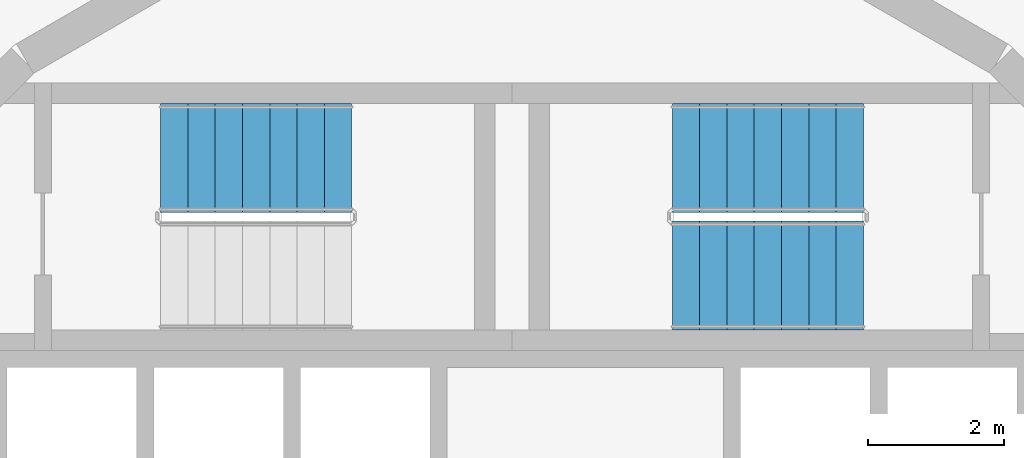
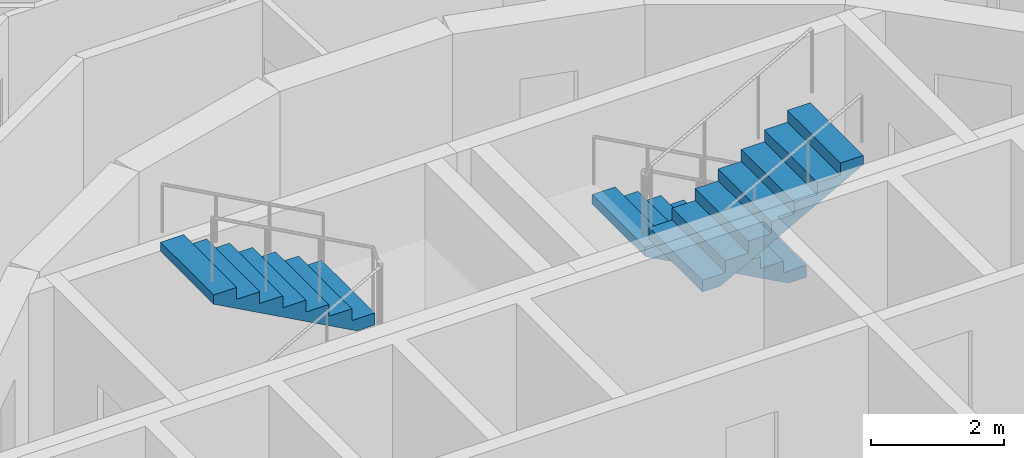
# One storey, part 19 of 20: 3 stair flights, 2 elements without a shape of their own.
"""IFC4 building model written with IfcOpenShell, lengths in metres."""

from ifc_helpers import new_model, si_unit, direction, frame, origin, place, context, subcontext, project, spatial, polyline, outline, extrude, material, type_object, element, aggregate, save


model = new_model("IFC4")

# Units and contexts
model_context = context("Model", 3, precision=1e-05, world=origin(), true_north=direction((0.0, 1.0)))
body_context = subcontext(model_context, "Body", "Model", "MODEL_VIEW")
ifc_project = project(units=[si_unit("LENGTHUNIT", "METRE"), si_unit("AREAUNIT", "SQUARE_METRE"), si_unit("VOLUMEUNIT", "CUBIC_METRE"), si_unit("PLANEANGLEUNIT", "RADIAN"), si_unit("MASSUNIT", "GRAM", prefix="KILO")], contexts=[model_context])

# Site, building, storey
site_placement = place(None, origin())
site = spatial("IfcSite", under=ifc_project, at=site_placement, CompositionType="ELEMENT")
building_placement = place(site_placement, origin())
building = spatial("IfcBuilding", under=site, at=building_placement, Name="Spindle Arch Residences", CompositionType="ELEMENT")
storey_placement = place(building_placement, frame((0.0, 0.0, 59.39990234375)))
storey = spatial("IfcBuildingStorey", under=building, at=storey_placement, Name="L13", CompositionType="ELEMENT", Elevation=59.39990234375)

# Stair, stair flights
ifc_material_1 = material(Name="Concrete C50/60", Category="concrete")
stair_type = type_object("IfcStairType", Name="Exit stair 16 risers", PredefinedType="HALF_TURN_STAIR", material=ifc_material_1)
stair_1_placement = place(storey_placement, origin())
stair_1 = element("IfcStair", 1, at=stair_1_placement, inside=storey, type_object=stair_type, Name="L13 Exit stair ST1", PredefinedType="HALF_TURN_STAIR")
ifc_material_2 = material(Name="Concrete C50/60", Category="concrete")
stair_flight_type = type_object("IfcStairFlightType", Name="Exit stair flight", PredefinedType="STRAIGHT", material=ifc_material_2)
stair_flight_1_placement = place(storey_placement, frame((5.14990234375, 7.8701171875, 0.0), z_axis=(0.0, 0.0, 1.0), x_axis=(-1.0, 0.0, 0.0)))
stair_flight_1 = element("IfcStairFlight", 2, at=stair_flight_1_placement, type_object=stair_flight_type, Name="ST1 flight 1", NumberOfRisers=8, NumberOfTreads=7, PredefinedType="STRAIGHT", RiserHeight=0.21875, TreadLength=0.4, context=body_context, shape_type="SweptSolid", body=[
    extrude(outline(polyline([(0.0, 0.0), (0.0, 0.21875), (0.39990234375, 0.21875), (0.39990234375, 0.4375), (0.800048828125, 0.4375), (0.800048828125, 0.65625), (1.199951171875, 0.65625), (1.199951171875, 0.875), (1.60009765625, 0.875), (1.60009765625, 1.09375), (2.0, 1.09375), (2.0, 1.3125), (2.39990234375, 1.3125), (2.39990234375, 1.53125), (2.800048828125, 1.53125), (2.800048828125, 1.75), (2.800048828125, 1.3603515625), (0.3125, 0.0), (0.0, 0.0)])), frame((0.0, 0.800048828125, 0.0), z_axis=(0.0, -1.0, 0.0), x_axis=(1.0, 0.0, 0.0)), (0.0, 0.0, 1.0), 1.60009765625),
])
stair_flight_2_placement = place(storey_placement, frame((2.35009765625, 6.14990234375, 1.75), z_axis=(0.0, 0.0, 1.0), x_axis=(1.0, 0.0, 0.0)))
stair_flight_2 = element("IfcStairFlight", 3, at=stair_flight_2_placement, type_object=stair_flight_type, Name="ST1 flight 2", NumberOfRisers=8, NumberOfTreads=7, PredefinedType="STRAIGHT", RiserHeight=0.21875, TreadLength=0.4, context=body_context, shape_type="SweptSolid", body=[
    extrude(outline(polyline([(0.0, 0.0), (0.0, 0.21875), (0.39990234375, 0.21875), (0.39990234375, 0.4375), (0.800048828125, 0.4375), (0.800048828125, 0.65625), (1.199951171875, 0.65625), (1.199951171875, 0.875), (1.60009765625, 0.875), (1.60009765625, 1.09375), (2.0, 1.09375), (2.0, 1.3125), (2.39990234375, 1.3125), (2.39990234375, 1.53125), (2.800048828125, 1.53125), (2.800048828125, 1.75), (2.800048828125, 1.3603515625), (0.3125, 0.0), (0.0, 0.0)])), frame((0.0, 0.800048828125, 0.0), z_axis=(0.0, -1.0, 0.0), x_axis=(1.0, 0.0, 0.0)), (0.0, 0.0, 1.0), 1.60009765625),
])
aggregate(stair_1, [stair_flight_1, stair_flight_2])

# Stair, stair flight
stair_2_placement = place(storey_placement, origin())
stair_2 = element("IfcStair", 4, at=stair_2_placement, inside=storey, type_object=stair_type, Name="L13 Exit stair ST2", PredefinedType="HALF_TURN_STAIR")
stair_flight_3_placement = place(storey_placement, frame((-2.35009765625, 7.8701171875, 1.75), z_axis=(0.0, 0.0, 1.0), x_axis=(-1.0, 0.0, 0.0)))
stair_flight_3 = element("IfcStairFlight", 5, at=stair_flight_3_placement, type_object=stair_flight_type, Name="ST2 flight 2", NumberOfRisers=8, NumberOfTreads=7, PredefinedType="STRAIGHT", RiserHeight=0.21875, TreadLength=0.4, context=body_context, shape_type="SweptSolid", body=[
    extrude(outline(polyline([(0.0, 0.0), (0.0, 0.21875), (0.39990234375, 0.21875), (0.39990234375, 0.4375), (0.800048828125, 0.4375), (0.800048828125, 0.65625), (1.199951171875, 0.65625), (1.199951171875, 0.875), (1.60009765625, 0.875), (1.60009765625, 1.09375), (2.0, 1.09375), (2.0, 1.3125), (2.39990234375, 1.3125), (2.39990234375, 1.53125), (2.800048828125, 1.53125), (2.800048828125, 1.75), (2.800048828125, 1.3603515625), (0.3125, 0.0), (0.0, 0.0)])), frame((0.0, 0.800048828125, 0.0), z_axis=(0.0, -1.0, 0.0), x_axis=(1.0, 0.0, 0.0)), (0.0, 0.0, 1.0), 1.60009765625),
])
aggregate(stair_2, [stair_flight_3])

save(model, "model.ifc")
